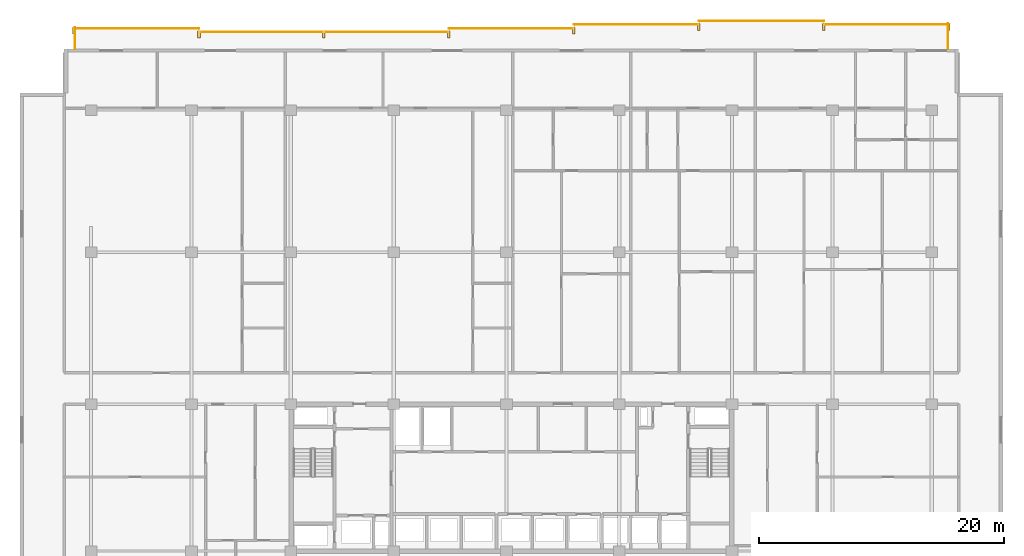
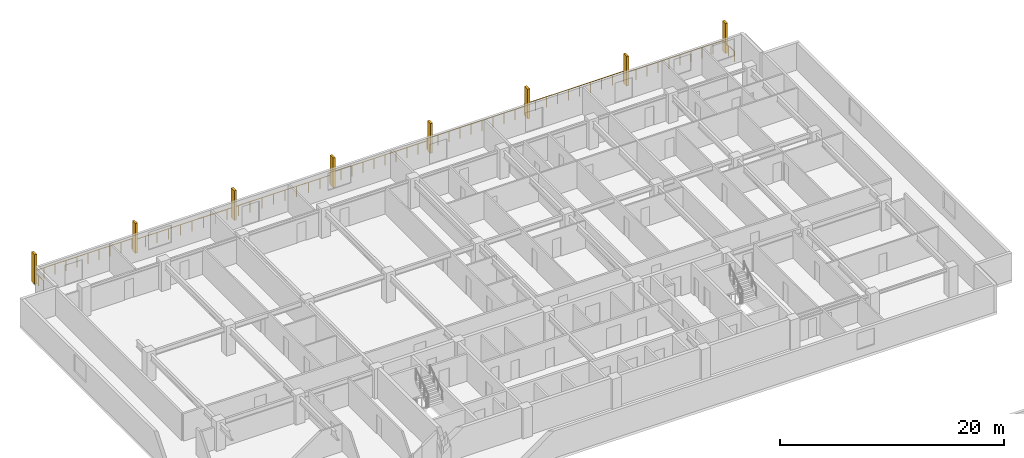
# One storey, part 21 of 21: 8 railings, 8 shading devices.
"""IFC4 building model written with IfcOpenShell, lengths in metres."""

from ifc_helpers import new_model, si_unit, direction, frame, origin, origin_2d, place, context, subcontext, project, spatial, rectangle, circle, extrude, material, type_object, element, save


model = new_model("IFC4")

# Units and contexts
model_context = context("Model", 3, precision=1e-05, world=origin(), true_north=direction((0.0, 1.0)))
body_context = subcontext(model_context, "Body", "Model", "MODEL_VIEW")
ifc_project = project(units=[si_unit("LENGTHUNIT", "METRE"), si_unit("AREAUNIT", "SQUARE_METRE"), si_unit("VOLUMEUNIT", "CUBIC_METRE"), si_unit("PLANEANGLEUNIT", "RADIAN"), si_unit("MASSUNIT", "GRAM", prefix="KILO")], contexts=[model_context])

# Site, building, storey
site_placement = place(None, origin())
site = spatial("IfcSite", under=ifc_project, at=site_placement, CompositionType="ELEMENT")
building_placement = place(site_placement, origin())
building = spatial("IfcBuilding", under=site, at=building_placement, Name="Korimba Cascade Residences", CompositionType="ELEMENT")
storey_placement = place(building_placement, frame((0.0, 0.0, 97.050048828125)))
storey = spatial("IfcBuildingStorey", under=building, at=storey_placement, Name="L27", CompositionType="ELEMENT", Elevation=97.050048828125)

# Railings
ifc_material_1 = material(Name="Laminated Glass and Bronze Balustrade", Category="glass")
railing_type = type_object("IfcRailingType", Name="RLG-LOG-1150", PredefinedType="BALUSTRADE", material=ifc_material_1)
railing_1_placement = place(storey_placement, frame((129.719970703125, 96.199951171875, 0.0)))
element("IfcRailing", 1, at=railing_1_placement, inside=storey, type_object=railing_type, Name="L27 Perimeter Guardrail RLG-L27-T1-LOG-01", PredefinedType="BALUSTRADE", context=body_context, shape_type="SweptSolid", body=[
    extrude(circle(Radius=0.02392578125, at=origin_2d()), frame((0.0, 0.0, 1.1259765625), z_axis=(0.0, 1.0, 0.0), x_axis=(-1.0, 0.0, 0.0)), (0.0, 0.0, 1.0), 2.050048828125),
    extrude(circle(Radius=0.02099609375, at=origin_2d()), origin(), (0.0, 0.0, 1.0), 1.101806640625),
    extrude(circle(Radius=0.02099609375, at=origin_2d()), frame((0.0, 1.02490234375, 0.0)), (0.0, 0.0, 1.0), 1.101806640625),
    extrude(circle(Radius=0.02099609375, at=origin_2d()), frame((0.0, 2.050048828125, 0.0)), (0.0, 0.0, 1.0), 1.101806640625),
])
railing_2_placement = place(storey_placement, frame((129.800048828125, 98.169921875, 0.0)))
element("IfcRailing", 2, at=railing_2_placement, inside=storey, type_object=railing_type, Name="L27 Perimeter Guardrail RLG-L27-T1-LOG-02", PredefinedType="BALUSTRADE", context=body_context, shape_type="SweptSolid", body=[
    extrude(circle(Radius=0.02392578125, at=origin_2d()), frame((0.0, 0.0, 1.1259765625), z_axis=(-1.0, 0.0, 0.0), x_axis=(0.0, -1.0, 0.0)), (0.0, 0.0, 1.0), 10.199951171875),
    extrude(circle(Radius=0.02099609375, at=origin_2d()), origin(), (0.0, 0.0, 1.0), 1.101806640625),
    extrude(circle(Radius=0.02099609375, at=origin_2d()), frame((-1.13330078125, 0.0, 0.0)), (0.0, 0.0, 1.0), 1.101806640625),
    extrude(circle(Radius=0.02099609375, at=origin_2d()), frame((-2.2666015625, 0.0, 0.0)), (0.0, 0.0, 1.0), 1.101806640625),
    extrude(circle(Radius=0.02099609375, at=origin_2d()), frame((-3.39990234375, 0.0, 0.0)), (0.0, 0.0, 1.0), 1.101806640625),
    extrude(circle(Radius=0.02099609375, at=origin_2d()), frame((-4.533203125, 0.0, 0.0)), (0.0, 0.0, 1.0), 1.101806640625),
    extrude(circle(Radius=0.02099609375, at=origin_2d()), frame((-5.666748046875, 0.0, 0.0)), (0.0, 0.0, 1.0), 1.101806640625),
    extrude(circle(Radius=0.02099609375, at=origin_2d()), frame((-6.800048828125, 0.0, 0.0)), (0.0, 0.0, 1.0), 1.101806640625),
    extrude(circle(Radius=0.02099609375, at=origin_2d()), frame((-7.933349609375, 0.0, 0.0)), (0.0, 0.0, 1.0), 1.101806640625),
    extrude(circle(Radius=0.02099609375, at=origin_2d()), frame((-9.066650390625, 0.0, 0.0)), (0.0, 0.0, 1.0), 1.101806640625),
    extrude(circle(Radius=0.02099609375, at=origin_2d()), frame((-10.199951171875, 0.0, 0.0)), (0.0, 0.0, 1.0), 1.101806640625),
])
railing_3_placement = place(storey_placement, frame((119.60009765625, 98.469970703125, 0.0)))
element("IfcRailing", 3, at=railing_3_placement, inside=storey, type_object=railing_type, Name="L27 Perimeter Guardrail RLG-L27-T1-LOG-03", PredefinedType="BALUSTRADE", context=body_context, shape_type="SweptSolid", body=[
    extrude(circle(Radius=0.02392578125, at=origin_2d()), frame((0.0, 0.0, 1.1259765625), z_axis=(-1.0, 0.0, 0.0), x_axis=(0.0, -1.0, 0.0)), (0.0, 0.0, 1.0), 10.2001953125),
    extrude(circle(Radius=0.02099609375, at=origin_2d()), origin(), (0.0, 0.0, 1.0), 1.101806640625),
    extrude(circle(Radius=0.02099609375, at=origin_2d()), frame((-1.13330078125, 0.0, 0.0)), (0.0, 0.0, 1.0), 1.101806640625),
    extrude(circle(Radius=0.02099609375, at=origin_2d()), frame((-2.2666015625, 0.0, 0.0)), (0.0, 0.0, 1.0), 1.101806640625),
    extrude(circle(Radius=0.02099609375, at=origin_2d()), frame((-3.400146484375, 0.0, 0.0)), (0.0, 0.0, 1.0), 1.101806640625),
    extrude(circle(Radius=0.02099609375, at=origin_2d()), frame((-4.533447265625, 0.0, 0.0)), (0.0, 0.0, 1.0), 1.101806640625),
    extrude(circle(Radius=0.02099609375, at=origin_2d()), frame((-5.666748046875, 0.0, 0.0)), (0.0, 0.0, 1.0), 1.101806640625),
    extrude(circle(Radius=0.02099609375, at=origin_2d()), frame((-6.800048828125, 0.0, 0.0)), (0.0, 0.0, 1.0), 1.101806640625),
    extrude(circle(Radius=0.02099609375, at=origin_2d()), frame((-7.93359375, 0.0, 0.0)), (0.0, 0.0, 1.0), 1.101806640625),
    extrude(circle(Radius=0.02099609375, at=origin_2d()), frame((-9.06689453125, 0.0, 0.0)), (0.0, 0.0, 1.0), 1.101806640625),
    extrude(circle(Radius=0.02099609375, at=origin_2d()), frame((-10.2001953125, 0.0, 0.0)), (0.0, 0.0, 1.0), 1.101806640625),
])
for number, where, name in (
    (4, (109.39990234375, 98.169921875, 0.0), "L27 Perimeter Guardrail RLG-L27-T1-LOG-04"),
    (5, (99.199951171875, 97.8701171875, 0.0), "L27 Perimeter Guardrail RLG-L27-T1-LOG-05"),
):
    element("IfcRailing", number, at=place(storey_placement, frame(where)), inside=storey, type_object=railing_type, Name=name, PredefinedType="BALUSTRADE", context=body_context, shape_type="SweptSolid", body=[
        extrude(circle(Radius=0.02392578125, at=origin_2d()), frame((0.0, 0.0, 1.1259765625), z_axis=(-1.0, 0.0, 0.0), x_axis=(0.0, -1.0, 0.0)), (0.0, 0.0, 1.0), 10.199951171875),
        extrude(circle(Radius=0.02099609375, at=origin_2d()), origin(), (0.0, 0.0, 1.0), 1.101806640625),
        extrude(circle(Radius=0.02099609375, at=origin_2d()), frame((-1.13330078125, 0.0, 0.0)), (0.0, 0.0, 1.0), 1.101806640625),
        extrude(circle(Radius=0.02099609375, at=origin_2d()), frame((-2.2666015625, 0.0, 0.0)), (0.0, 0.0, 1.0), 1.101806640625),
        extrude(circle(Radius=0.02099609375, at=origin_2d()), frame((-3.39990234375, 0.0, 0.0)), (0.0, 0.0, 1.0), 1.101806640625),
        extrude(circle(Radius=0.02099609375, at=origin_2d()), frame((-4.533203125, 0.0, 0.0)), (0.0, 0.0, 1.0), 1.101806640625),
        extrude(circle(Radius=0.02099609375, at=origin_2d()), frame((-5.666748046875, 0.0, 0.0)), (0.0, 0.0, 1.0), 1.101806640625),
        extrude(circle(Radius=0.02099609375, at=origin_2d()), frame((-6.800048828125, 0.0, 0.0)), (0.0, 0.0, 1.0), 1.101806640625),
        extrude(circle(Radius=0.02099609375, at=origin_2d()), frame((-7.933349609375, 0.0, 0.0)), (0.0, 0.0, 1.0), 1.101806640625),
        extrude(circle(Radius=0.02099609375, at=origin_2d()), frame((-9.066650390625, 0.0, 0.0)), (0.0, 0.0, 1.0), 1.101806640625),
        extrude(circle(Radius=0.02099609375, at=origin_2d()), frame((-10.199951171875, 0.0, 0.0)), (0.0, 0.0, 1.0), 1.101806640625),
    ])
railing_4_placement = place(storey_placement, frame((89.0, 97.570068359375, 0.0)))
element("IfcRailing", 6, at=railing_4_placement, inside=storey, type_object=railing_type, Name="L27 Perimeter Guardrail RLG-L27-T1-LOG-06", PredefinedType="BALUSTRADE", context=body_context, shape_type="SweptSolid", body=[
    extrude(circle(Radius=0.02392578125, at=origin_2d()), frame((0.0, 0.0, 1.1259765625), z_axis=(-1.0, 0.0, 0.0), x_axis=(0.0, -1.0, 0.0)), (0.0, 0.0, 1.0), 20.39990234375),
    extrude(circle(Radius=0.02099609375, at=origin_2d()), origin(), (0.0, 0.0, 1.0), 1.101806640625),
    extrude(circle(Radius=0.02099609375, at=origin_2d()), frame((-1.199951171875, 0.0, 0.0)), (0.0, 0.0, 1.0), 1.101806640625),
    extrude(circle(Radius=0.02099609375, at=origin_2d()), frame((-2.39990234375, 0.0, 0.0)), (0.0, 0.0, 1.0), 1.101806640625),
    extrude(circle(Radius=0.02099609375, at=origin_2d()), frame((-3.60009765625, 0.0, 0.0)), (0.0, 0.0, 1.0), 1.101806640625),
    extrude(circle(Radius=0.02099609375, at=origin_2d()), frame((-4.800048828125, 0.0, 0.0)), (0.0, 0.0, 1.0), 1.101806640625),
    extrude(circle(Radius=0.02099609375, at=origin_2d()), frame((-6.0, 0.0, 0.0)), (0.0, 0.0, 1.0), 1.101806640625),
    extrude(circle(Radius=0.02099609375, at=origin_2d()), frame((-7.199951171875, 0.0, 0.0)), (0.0, 0.0, 1.0), 1.101806640625),
    extrude(circle(Radius=0.02099609375, at=origin_2d()), frame((-8.39990234375, 0.0, 0.0)), (0.0, 0.0, 1.0), 1.101806640625),
    extrude(circle(Radius=0.02099609375, at=origin_2d()), frame((-9.599853515625, 0.0, 0.0)), (0.0, 0.0, 1.0), 1.101806640625),
    extrude(circle(Radius=0.02099609375, at=origin_2d()), frame((-10.800048828125, 0.0, 0.0)), (0.0, 0.0, 1.0), 1.101806640625),
    extrude(circle(Radius=0.02099609375, at=origin_2d()), frame((-12.0, 0.0, 0.0)), (0.0, 0.0, 1.0), 1.101806640625),
    extrude(circle(Radius=0.02099609375, at=origin_2d()), frame((-13.199951171875, 0.0, 0.0)), (0.0, 0.0, 1.0), 1.101806640625),
    extrude(circle(Radius=0.02099609375, at=origin_2d()), frame((-14.39990234375, 0.0, 0.0)), (0.0, 0.0, 1.0), 1.101806640625),
    extrude(circle(Radius=0.02099609375, at=origin_2d()), frame((-15.599853515625, 0.0, 0.0)), (0.0, 0.0, 1.0), 1.101806640625),
    extrude(circle(Radius=0.02099609375, at=origin_2d()), frame((-16.7998046875, 0.0, 0.0)), (0.0, 0.0, 1.0), 1.101806640625),
    extrude(circle(Radius=0.02099609375, at=origin_2d()), frame((-18.0, 0.0, 0.0)), (0.0, 0.0, 1.0), 1.101806640625),
    extrude(circle(Radius=0.02099609375, at=origin_2d()), frame((-19.199951171875, 0.0, 0.0)), (0.0, 0.0, 1.0), 1.101806640625),
    extrude(circle(Radius=0.02099609375, at=origin_2d()), frame((-20.39990234375, 0.0, 0.0)), (0.0, 0.0, 1.0), 1.101806640625),
])
railing_5_placement = place(storey_placement, frame((68.60009765625, 97.8701171875, 0.0)))
element("IfcRailing", 7, at=railing_5_placement, inside=storey, type_object=railing_type, Name="L27 Perimeter Guardrail RLG-L27-T1-LOG-07", PredefinedType="BALUSTRADE", context=body_context, shape_type="SweptSolid", body=[
    extrude(circle(Radius=0.02392578125, at=origin_2d()), frame((0.0, 0.0, 1.1259765625), z_axis=(-1.0, 0.0, 0.0), x_axis=(0.0, -1.0, 0.0)), (0.0, 0.0, 1.0), 10.2001953125),
    extrude(circle(Radius=0.02099609375, at=origin_2d()), origin(), (0.0, 0.0, 1.0), 1.101806640625),
    extrude(circle(Radius=0.02099609375, at=origin_2d()), frame((-1.13330078125, 0.0, 0.0)), (0.0, 0.0, 1.0), 1.101806640625),
    extrude(circle(Radius=0.02099609375, at=origin_2d()), frame((-2.2666015625, 0.0, 0.0)), (0.0, 0.0, 1.0), 1.101806640625),
    extrude(circle(Radius=0.02099609375, at=origin_2d()), frame((-3.400146484375, 0.0, 0.0)), (0.0, 0.0, 1.0), 1.101806640625),
    extrude(circle(Radius=0.02099609375, at=origin_2d()), frame((-4.533447265625, 0.0, 0.0)), (0.0, 0.0, 1.0), 1.101806640625),
    extrude(circle(Radius=0.02099609375, at=origin_2d()), frame((-5.666748046875, 0.0, 0.0)), (0.0, 0.0, 1.0), 1.101806640625),
    extrude(circle(Radius=0.02099609375, at=origin_2d()), frame((-6.800048828125, 0.0, 0.0)), (0.0, 0.0, 1.0), 1.101806640625),
    extrude(circle(Radius=0.02099609375, at=origin_2d()), frame((-7.93359375, 0.0, 0.0)), (0.0, 0.0, 1.0), 1.101806640625),
    extrude(circle(Radius=0.02099609375, at=origin_2d()), frame((-9.06689453125, 0.0, 0.0)), (0.0, 0.0, 1.0), 1.101806640625),
    extrude(circle(Radius=0.02099609375, at=origin_2d()), frame((-10.2001953125, 0.0, 0.0)), (0.0, 0.0, 1.0), 1.101806640625),
])
railing_6_placement = place(storey_placement, frame((58.47998046875, 97.949951171875, 0.0)))
element("IfcRailing", 8, at=railing_6_placement, inside=storey, type_object=railing_type, Name="L27 Perimeter Guardrail RLG-L27-T1-LOG-08", PredefinedType="BALUSTRADE", context=body_context, shape_type="SweptSolid", body=[
    extrude(circle(Radius=0.02392578125, at=origin_2d()), frame((0.0, 0.0, 1.1259765625), z_axis=(0.0, -1.0, 0.0), x_axis=(1.0, 0.0, 0.0)), (0.0, 0.0, 1.0), 1.75),
    extrude(circle(Radius=0.02099609375, at=origin_2d()), origin(), (0.0, 0.0, 1.0), 1.101806640625),
    extrude(circle(Radius=0.02099609375, at=origin_2d()), frame((0.0, -0.875, 0.0)), (0.0, 0.0, 1.0), 1.101806640625),
    extrude(circle(Radius=0.02099609375, at=origin_2d()), frame((0.0, -1.75, 0.0)), (0.0, 0.0, 1.0), 1.101806640625),
])

# Shading devices
ifc_material_2 = material(Name="Honed Sandstone Precast Fin", Category="masonry")
shading_device_type = type_object("IfcShadingDeviceType", Name="SHD-FIN-550", PredefinedType="USERDEFINED", material=ifc_material_2)
for number, where, z_axis, x_axis, name in (
    (9, (58.39990234375, 97.675048828125, 0.0), (0.0, 0.0, 1.0), (1.0, 0.0, 0.0), "L27 T1 Warm-Stone Loggia Fin 1"),
    (10, (68.60009765625, 97.375, 0.0), (0.0, 0.0, 1.0), (1.0, 0.0, 0.0), "L27 T1 Warm-Stone Loggia Fin 2"),
    (11, (78.800048828125, 97.375, 0.0), (0.0, 0.0, 1.0), (1.0, 0.0, 0.0), "L27 T1 Warm-Stone Loggia Fin 3"),
    (12, (89.0, 97.375, 0.0), (0.0, 0.0, 1.0), (1.0, 0.0, 0.0), "L27 T1 Warm-Stone Loggia Fin 4"),
    (13, (99.199951171875, 97.675048828125, 0.0), (0.0, 0.0, 1.0), (1.0, 0.0, 0.0), "L27 T1 Warm-Stone Loggia Fin 5"),
    (14, (109.39990234375, 97.97509765625, 0.0), (0.0, 0.0, 1.0), (1.0, 0.0, 0.0), "L27 T1 Warm-Stone Loggia Fin 6"),
    (15, (119.60009765625, 97.97509765625, 0.0), (0.0, 0.0, 1.0), (1.0, 0.0, 0.0), "L27 T1 Warm-Stone Loggia Fin 7"),
    (16, (129.800048828125, 97.97509765625, 0.0), (0.0, 0.0, 1.0), (1.0, 0.0, 0.0), "L27 T1 Warm-Stone Loggia Fin 8"),
):
    element("IfcShadingDevice", number, at=place(storey_placement, frame(where, z_axis=z_axis, x_axis=x_axis)), inside=storey, type_object=shading_device_type, Name=name, ObjectType="FIN", PredefinedType="USERDEFINED", context=body_context, shape_type="SweptSolid", body=[
        extrude(rectangle(XDim=0.219970703125, YDim=0.550048828125, at=origin_2d()), origin(), (0.0, 0.0, 1.0), 3.25),
    ])

save(model, "model.ifc")
